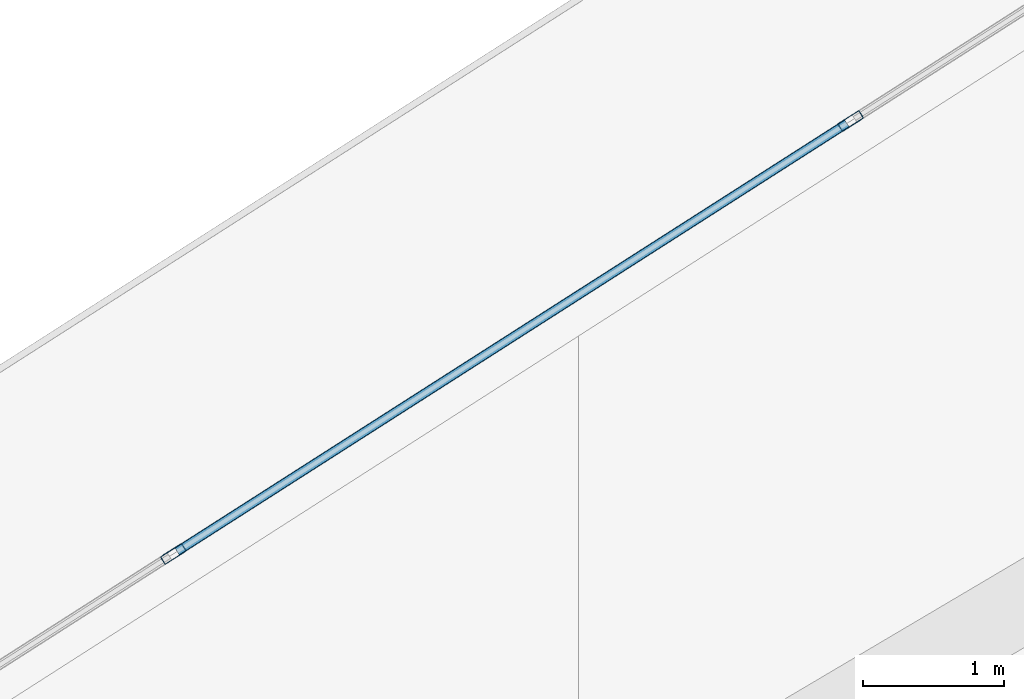
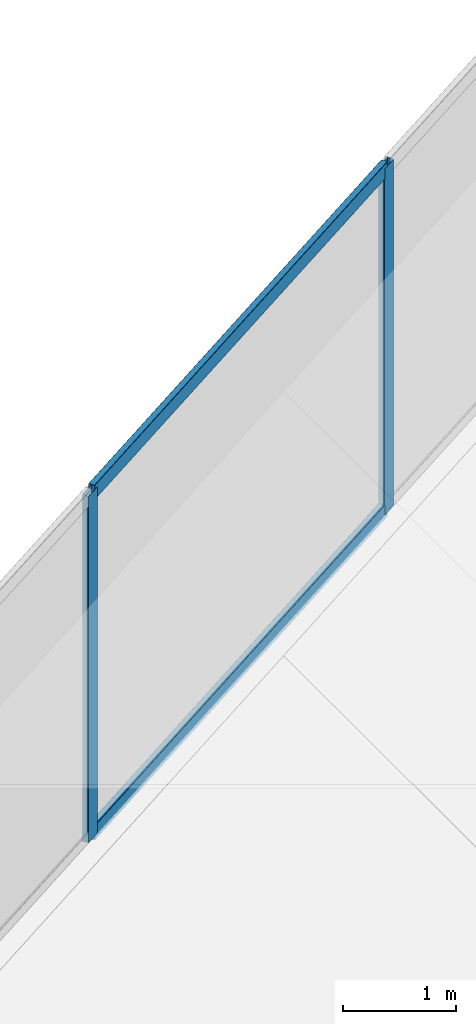
# One storey, part 20 of 36: 4 members, 1 element without a shape of its own.
"""IFC4 building model written with IfcOpenShell, lengths in metres."""

from ifc_helpers import new_model, si_unit, direction, frame, origin, origin_2d, place, context, subcontext, project, spatial, hollow_rectangle, extrude, material, layer, layer_set, material_profile, profile_set, type_object, element, aggregate, save


model = new_model("IFC4")

# Units and contexts
model_context = context("Model", 3, precision=1e-05, world=origin(), true_north=direction((0.0, 1.0)))
body_context = subcontext(model_context, "Body", "Model", "MODEL_VIEW")
ifc_project = project(units=[si_unit("LENGTHUNIT", "METRE"), si_unit("AREAUNIT", "SQUARE_METRE"), si_unit("VOLUMEUNIT", "CUBIC_METRE"), si_unit("PLANEANGLEUNIT", "RADIAN"), si_unit("MASSUNIT", "GRAM", prefix="KILO")], contexts=[model_context])

# Site, building, storey
site_placement = place(None, origin())
site = spatial("IfcSite", under=ifc_project, at=site_placement, CompositionType="ELEMENT")
building_placement = place(site_placement, origin())
building = spatial("IfcBuilding", under=site, at=building_placement, Name="Qorvath Tower", CompositionType="ELEMENT")
storey_placement = place(building_placement, frame((0.0, 0.0, 170.550048828125)))
storey = spatial("IfcBuildingStorey", under=building, at=storey_placement, Name="L39", CompositionType="ELEMENT", Elevation=170.550048828125)

# Curtain wall, members
ifc_material_1 = material(Name="Anodised aluminium and triple low-E glass", Category="aluminium")
ifc_layer = layer(ifc_material_1, 0.179931640625)
ifc_layer_set = layer_set([ifc_layer], Name="CW-SYS-3")
curtain_wall_type = type_object("IfcCurtainWallType", Name="CW-SYS-3", PredefinedType="NOTDEFINED", material=ifc_layer_set)
curtain_wall_placement = place(storey_placement, origin())
curtain_wall = element("IfcCurtainWall", 1, at=curtain_wall_placement, inside=storey, type_object=curtain_wall_type, Name="Curtain Wall CW-3 CW-T-L39-16.1", PredefinedType="NOTDEFINED")
ifc_material_2 = material(Name="Anodised aluminium 6063-T6", Category="aluminium")
ifc_material_profile_1 = material_profile(ifc_material_2, hollow_rectangle(XDim=0.06494140625, YDim=0.179931640625, WallThickness=0.00341796875, InnerFilletRadius=0.00341796875, OuterFilletRadius=0.007080078125, at=origin_2d()), Name="CWM 180x65")
ifc_profile_set_1 = profile_set([ifc_material_profile_1], Name="Anodised aluminium 6063-T6")
member_type_1 = type_object("IfcMemberType", Name="CWM-180", PredefinedType="MULLION", material=ifc_profile_set_1)
member_1_placement = place(storey_placement, frame((-21.123779296875, 25.97265625, 0.0), z_axis=(0.0, 0.0, 1.0), x_axis=(0.53853443311, -0.842603503645, 0.0)))
member_1 = element("IfcMember", 2, at=member_1_placement, type_object=member_type_1, Name="CW-3 mullion 2", PredefinedType="MULLION", context=body_context, shape_type="SweptSolid", body=[
    extrude(hollow_rectangle(XDim=0.06494140625, YDim=0.179931640625, WallThickness=0.00341796875, InnerFilletRadius=0.00341796875, OuterFilletRadius=0.007080078125, at=origin_2d()), origin(), (0.0, 0.0, 1.0), 3.75),
])
member_2_placement = place(storey_placement, frame((-25.928955078125, 22.9013671875, 0.0), z_axis=(0.0, 0.0, 1.0), x_axis=(0.53853443311, -0.842603503645, 0.0)))
member_2 = element("IfcMember", 3, at=member_2_placement, type_object=member_type_1, Name="CW-3 mullion 3", PredefinedType="MULLION", context=body_context, shape_type="SweptSolid", body=[
    extrude(hollow_rectangle(XDim=0.06494140625, YDim=0.179931640625, WallThickness=0.00341796875, InnerFilletRadius=0.00341796875, OuterFilletRadius=0.007080078125, at=origin_2d()), origin(), (0.0, 0.0, 1.0), 3.75),
])
ifc_material_3 = material(Name="Anodised aluminium 6063-T6", Category="aluminium")
ifc_material_profile_2 = material_profile(ifc_material_3, hollow_rectangle(XDim=0.06494140625, YDim=0.159912109375, WallThickness=0.00341796875, InnerFilletRadius=0.00341796875, OuterFilletRadius=0.007080078125, at=origin_2d()), Name="CWT 160x65")
ifc_profile_set_2 = profile_set([ifc_material_profile_2], Name="Anodised aluminium 6063-T6")
member_type_2 = type_object("IfcMemberType", Name="CWT-160", PredefinedType="USERDEFINED", material=ifc_profile_set_2)
member_3_placement = place(storey_placement, frame((-21.151123046875, 25.955078125, 0.032470703125), z_axis=(-0.842607837252, -0.538527652588, 0.0), x_axis=(0.538527652588, -0.842607837252, 0.0)))
member_3 = element("IfcMember", 4, at=member_3_placement, type_object=member_type_2, Name="CW-3 transom 2.1", ObjectType="TRANSOM", PredefinedType="USERDEFINED", context=body_context, shape_type="SweptSolid", body=[
    extrude(hollow_rectangle(XDim=0.06494140625, YDim=0.159912109375, WallThickness=0.00341796875, InnerFilletRadius=0.00341796875, OuterFilletRadius=0.007080078125, at=origin_2d()), origin(), (0.0, 0.0, 1.0), 5.637939453125),
])
member_4_placement = place(storey_placement, frame((-21.151123046875, 25.955078125, 3.717529296875), z_axis=(-0.842607837252, -0.538527652588, 0.0), x_axis=(0.538527652588, -0.842607837252, 0.0)))
member_4 = element("IfcMember", 5, at=member_4_placement, type_object=member_type_2, Name="CW-3 transom 2.2", ObjectType="TRANSOM", PredefinedType="USERDEFINED", context=body_context, shape_type="SweptSolid", body=[
    extrude(hollow_rectangle(XDim=0.06494140625, YDim=0.159912109375, WallThickness=0.00341796875, InnerFilletRadius=0.00341796875, OuterFilletRadius=0.007080078125, at=origin_2d()), origin(), (0.0, 0.0, 1.0), 5.637939453125),
])
aggregate(curtain_wall, [member_1, member_2, member_3, member_4])

save(model, "model.ifc")
